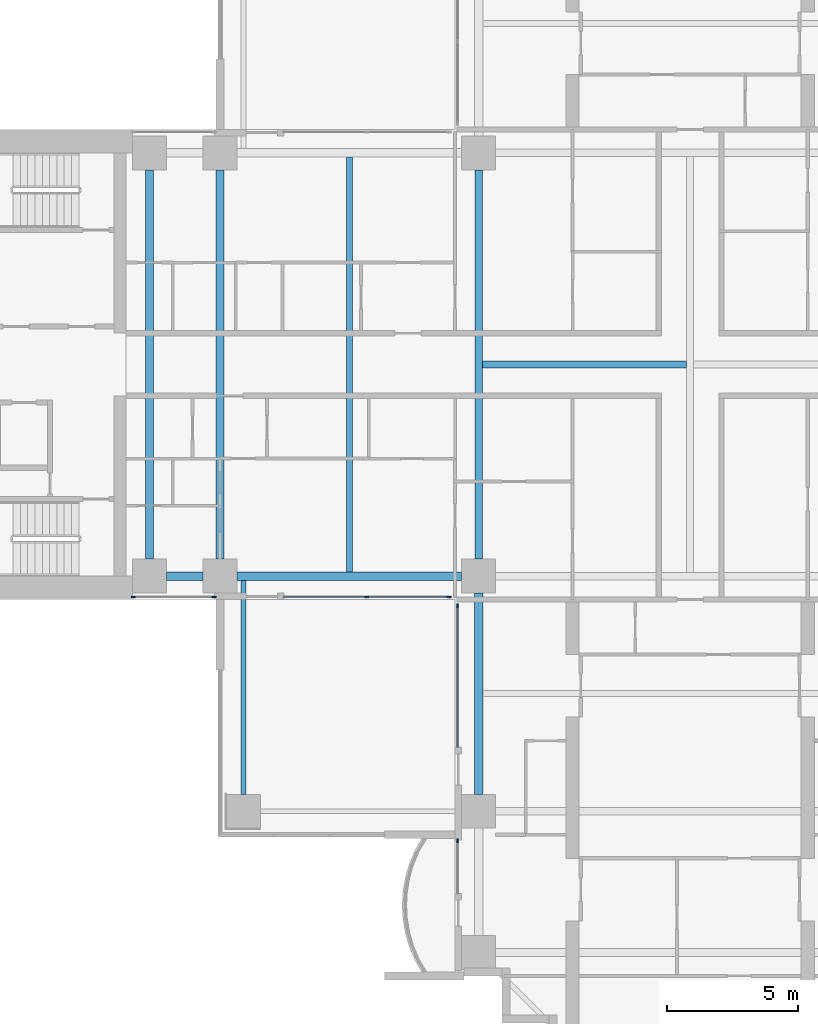
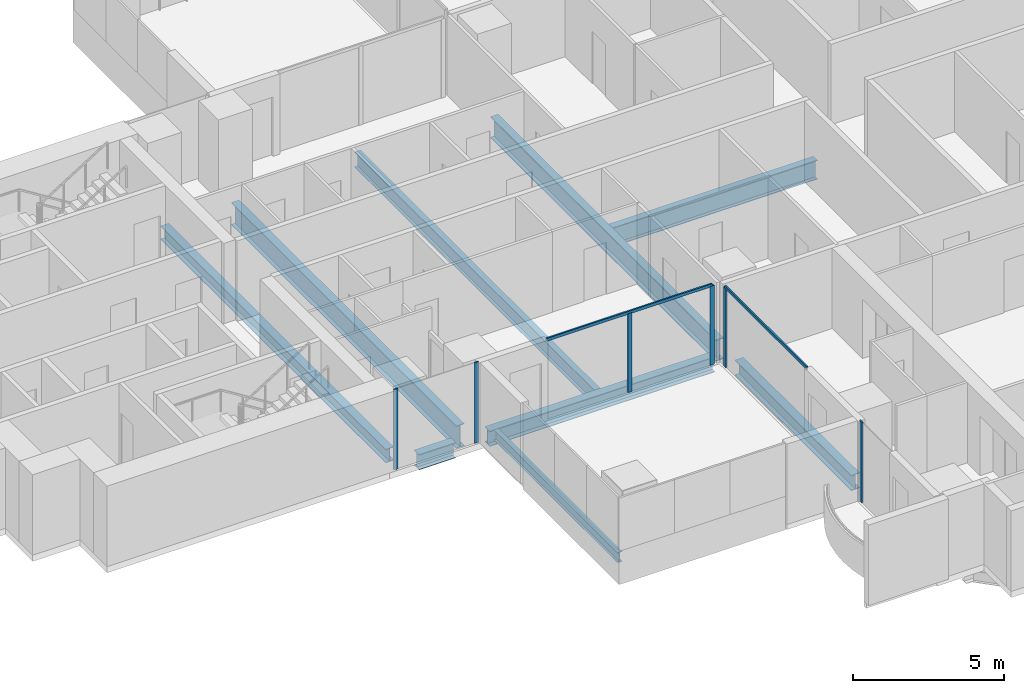
# One storey, part 2 of 21: 9 beams, 8 members, 4 elements without a shape of their own.
"""IFC4 building model written with IfcOpenShell, lengths in metres."""

from ifc_helpers import new_model, si_unit, direction, frame, origin, origin_2d, place, context, subcontext, project, spatial, rectangle, i_section, extrude, material, material_profile, profile_set, type_object, element, aggregate, save


model = new_model("IFC4")

# Units and contexts
model_context = context("Model", 3, precision=1e-05, world=origin(), true_north=direction((0.0, 1.0)))
body_context = subcontext(model_context, "Body", "Model", "MODEL_VIEW")
ifc_project = project(units=[si_unit("LENGTHUNIT", "METRE"), si_unit("AREAUNIT", "SQUARE_METRE"), si_unit("VOLUMEUNIT", "CUBIC_METRE"), si_unit("PLANEANGLEUNIT", "RADIAN"), si_unit("MASSUNIT", "GRAM", prefix="KILO")], contexts=[model_context])

# Site, building, storey
site_placement = place(None, origin())
site = spatial("IfcSite", under=ifc_project, at=site_placement, CompositionType="ELEMENT")
building_placement = place(site_placement, origin())
building = spatial("IfcBuilding", under=site, at=building_placement, Name="Perihelion Cross Residences", CompositionType="ELEMENT")
storey_placement = place(building_placement, frame((0.0, 0.0, 57.5)))
storey = spatial("IfcBuildingStorey", under=building, at=storey_placement, Name="L11", CompositionType="ELEMENT", Elevation=57.5)

# Curtain wall, members
ifc_material_1 = material(Name="Bronze anodised aluminium, tinted glazing", Category="aluminium")
curtain_wall_type = type_object("IfcCurtainWallType", Name="CW1", PredefinedType="NOTDEFINED", material=ifc_material_1)
curtain_wall_1_placement = place(storey_placement, origin())
curtain_wall_1 = element("IfcCurtainWall", 1, at=curtain_wall_1_placement, inside=storey, type_object=curtain_wall_type, Name="Curtain wall CW1 L11 west side south bay 1", PredefinedType="NOTDEFINED")
ifc_material_2 = material(Name="Bronze anodised aluminium", Category="aluminium")
ifc_material_profile_1 = material_profile(ifc_material_2, rectangle(XDim=0.06005859375, YDim=0.159912109375, at=origin_2d()), Name="CW1 mullion")
ifc_profile_set_1 = profile_set([ifc_material_profile_1], Name="Bronze anodised aluminium")
member_type_1 = type_object("IfcMemberType", Name="CW1 mullion", PredefinedType="MULLION", material=ifc_profile_set_1)
member_1_placement = place(storey_placement, frame((-21.320068359375, -8.89990234375, 0.0), z_axis=(0.0, 0.0, 1.0), x_axis=(0.0, 1.0, 0.0)))
member_1 = element("IfcMember", 2, at=member_1_placement, type_object=member_type_1, Name="CW1 mullion 1", PredefinedType="MULLION", context=body_context, shape_type="SweptSolid", body=[
    extrude(rectangle(XDim=0.06005859375, YDim=0.159912109375, at=origin_2d()), origin(), (0.0, 0.0, 1.0), 3.25),
])
member_2_placement = place(storey_placement, frame((-18.22998046875, -8.89990234375, 0.0), z_axis=(0.0, 0.0, 1.0), x_axis=(0.0, 1.0, 0.0)))
member_2 = element("IfcMember", 3, at=member_2_placement, type_object=member_type_1, Name="CW1 mullion 2", PredefinedType="MULLION", context=body_context, shape_type="SweptSolid", body=[
    extrude(rectangle(XDim=0.06005859375, YDim=0.159912109375, at=origin_2d()), origin(), (0.0, 0.0, 1.0), 3.25),
])
aggregate(curtain_wall_1, [member_1, member_2])

curtain_wall_2_placement = place(storey_placement, origin())
curtain_wall_2 = element("IfcCurtainWall", 4, at=curtain_wall_2_placement, inside=storey, type_object=curtain_wall_type, Name="Curtain wall CW1 L11 west side south bay 2", PredefinedType="NOTDEFINED")
member_3_placement = place(storey_placement, frame((-12.375, -8.89990234375, 0.0), z_axis=(0.0, 0.0, 1.0), x_axis=(0.0, 1.0, 0.0)))
member_3 = element("IfcMember", 5, at=member_3_placement, type_object=member_type_1, Name="CW1 mullion 2", PredefinedType="MULLION", context=body_context, shape_type="SweptSolid", body=[
    extrude(rectangle(XDim=0.06005859375, YDim=0.159912109375, at=origin_2d()), origin(), (0.0, 0.0, 1.0), 3.18994140625),
])
member_4_placement = place(storey_placement, frame((-9.22998046875, -8.89990234375, 0.0), z_axis=(0.0, 0.0, 1.0), x_axis=(0.0, 1.0, 0.0)))
member_4 = element("IfcMember", 6, at=member_4_placement, type_object=member_type_1, Name="CW1 mullion 3", PredefinedType="MULLION", context=body_context, shape_type="SweptSolid", body=[
    extrude(rectangle(XDim=0.06005859375, YDim=0.159912109375, at=origin_2d()), origin(), (0.0, 0.0, 1.0), 3.18994140625),
])

# Curtain wall, member
curtain_wall_3_placement = place(storey_placement, origin())
curtain_wall_3 = element("IfcCurtainWall", 7, at=curtain_wall_3_placement, inside=storey, type_object=curtain_wall_type, Name="Curtain wall CW1 L11 south side west bay 1", PredefinedType="NOTDEFINED")
member_5_placement = place(storey_placement, frame((-8.89990234375, -9.22998046875, 0.0), z_axis=(0.0, 0.0, 1.0), x_axis=(1.0, 0.0, 0.0)))
member_5 = element("IfcMember", 8, at=member_5_placement, type_object=member_type_1, Name="CW1 mullion 1", PredefinedType="MULLION", context=body_context, shape_type="SweptSolid", body=[
    extrude(rectangle(XDim=0.06005859375, YDim=0.159912109375, at=origin_2d()), origin(), (0.0, 0.0, 1.0), 3.18994140625),
])

curtain_wall_4_placement = place(storey_placement, origin())
curtain_wall_4 = element("IfcCurtainWall", 9, at=curtain_wall_4_placement, inside=storey, type_object=curtain_wall_type, Name="Curtain wall CW1 L11 south side west bay 2", PredefinedType="NOTDEFINED")
member_6_placement = place(storey_placement, frame((-8.89990234375, -18.22998046875, 0.0), z_axis=(0.0, 0.0, 1.0), x_axis=(1.0, 0.0, 0.0)))
member_6 = element("IfcMember", 10, at=member_6_placement, type_object=member_type_1, Name="CW1 mullion 1", PredefinedType="MULLION", context=body_context, shape_type="SweptSolid", body=[
    extrude(rectangle(XDim=0.06005859375, YDim=0.159912109375, at=origin_2d()), origin(), (0.0, 0.0, 1.0), 3.25),
])
aggregate(curtain_wall_4, [member_6])

# Member
ifc_material_3 = material(Name="Bronze anodised aluminium", Category="aluminium")
ifc_material_profile_2 = material_profile(ifc_material_3, rectangle(XDim=0.06005859375, YDim=0.1201171875, at=origin_2d()), Name="CW1 transom")
ifc_profile_set_2 = profile_set([ifc_material_profile_2], Name="Bronze anodised aluminium")
member_type_2 = type_object("IfcMemberType", Name="CW1 transom", PredefinedType="USERDEFINED", material=ifc_profile_set_2)
member_7_placement = place(storey_placement, frame((-15.550048828125, -8.89990234375, 3.219970703125), z_axis=(1.0, 0.0, 0.0), x_axis=(0.0, 1.0, 0.0)))
member_7 = element("IfcMember", 11, at=member_7_placement, type_object=member_type_2, Name="CW1 head transom", ObjectType="TRANSOM", PredefinedType="USERDEFINED", context=body_context, shape_type="SweptSolid", body=[
    extrude(rectangle(XDim=0.06005859375, YDim=0.1201171875, at=origin_2d()), origin(), (0.0, 0.0, 1.0), 6.320068359375),
])

aggregate(curtain_wall_2, [member_3, member_4, member_7])

member_8_placement = place(storey_placement, frame((-8.89990234375, -9.22998046875, 3.219970703125), z_axis=(0.0, -1.0, 0.0), x_axis=(1.0, 0.0, 0.0)))
member_8 = element("IfcMember", 12, at=member_8_placement, type_object=member_type_2, Name="CW1 head transom", ObjectType="TRANSOM", PredefinedType="USERDEFINED", context=body_context, shape_type="SweptSolid", body=[
    extrude(rectangle(XDim=0.06005859375, YDim=0.1201171875, at=origin_2d()), origin(), (0.0, 0.0, 1.0), 5.419921875),
])

aggregate(curtain_wall_3, [member_5, member_8])

# Beams
ifc_material_4 = material(Name="Steel S355", Category="steel")
ifc_material_profile_3 = material_profile(ifc_material_4, i_section(OverallWidth=0.177978515625, OverallDepth=0.406005859375, WebThickness=0.0078125, FlangeThickness=0.0126953125, at=origin_2d()), Name="W410x60")
ifc_profile_set_3 = profile_set([ifc_material_profile_3], Name="Steel S355")
beam_type_1 = type_object("IfcBeamType", Name="Core edge beam W410x60", PredefinedType="BEAM", material=ifc_profile_set_3)
beam_1_placement = place(storey_placement, frame((-17.10009765625, -8.262451171875, -0.452880859375), z_axis=(0.0, -1.0, 0.0), x_axis=(1.0, 0.0, 0.0)))
element("IfcBeam", 13, at=beam_1_placement, inside=storey, type_object=beam_type_1, Name="Core edge beam TB2 L11 corner no. 1", PredefinedType="BEAM", context=body_context, shape_type="SweptSolid", body=[
    extrude(i_section(OverallWidth=0.177978515625, OverallDepth=0.406005859375, WebThickness=0.0078125, FlangeThickness=0.0126953125, at=origin_2d()), origin(), (0.0, 0.0, 1.0), 8.1875),
])
ifc_material_5 = material(Name="Steel S355", Category="steel")
ifc_material_profile_4 = material_profile(ifc_material_5, i_section(OverallWidth=0.31201171875, OverallDepth=0.5439453125, WebThickness=0.0126953125, FlangeThickness=0.020263671875, at=origin_2d()), Name="W530x150")
ifc_profile_set_4 = profile_set([ifc_material_profile_4], Name="Steel S355")
beam_type_2 = type_object("IfcBeamType", Name="Core edge beam W530x150", PredefinedType="BEAM", material=ifc_profile_set_4)
beam_2_placement = place(storey_placement, frame((-20.699951171875, -7.449951171875, -0.52197265625), z_axis=(0.0, 1.0, 0.0), x_axis=(-1.0, 0.0, 0.0)))
element("IfcBeam", 14, at=beam_2_placement, inside=storey, type_object=beam_type_2, Name="Core edge beam TB4 L11 no. 1", PredefinedType="BEAM", context=body_context, shape_type="SweptSolid", body=[
    extrude(i_section(OverallWidth=0.31201171875, OverallDepth=0.5439453125, WebThickness=0.0126953125, FlangeThickness=0.020263671875, at=origin_2d()), origin(), (0.0, 0.0, 1.0), 14.89990234375),
])
ifc_material_6 = material(Name="Steel S355", Category="steel")
ifc_material_profile_5 = material_profile(ifc_material_6, i_section(OverallWidth=0.324951171875, OverallDepth=0.616943359375, WebThickness=0.013916015625, FlangeThickness=0.021484375, at=origin_2d()), Name="W610x174")
ifc_profile_set_5 = profile_set([ifc_material_profile_5], Name="Steel S355")
beam_type_3 = type_object("IfcBeamType", Name="Edge beam W610x174", PredefinedType="SPANDREL", material=ifc_profile_set_5)
beam_3_placement = place(storey_placement, frame((-20.050048828125, -8.10009765625, -0.55859375), z_axis=(1.0, 0.0, 0.0), x_axis=(0.0, 1.0, 0.0)))
element("IfcBeam", 15, at=beam_3_placement, inside=storey, type_object=beam_type_3, Name="Edge beam SB2 L11 no. 3", PredefinedType="SPANDREL", context=body_context, shape_type="SweptSolid", body=[
    extrude(i_section(OverallWidth=0.324951171875, OverallDepth=0.616943359375, WebThickness=0.013916015625, FlangeThickness=0.021484375, at=origin_2d()), origin(), (0.0, 0.0, 1.0), 1.400146484375),
])
beam_4_placement = place(storey_placement, frame((-17.35009765625, -8.10009765625, -0.55859375), z_axis=(1.0, 0.0, 0.0), x_axis=(0.0, 1.0, 0.0)))
element("IfcBeam", 16, at=beam_4_placement, inside=storey, type_object=beam_type_3, Name="Edge beam SB2 L11 no. 1", PredefinedType="SPANDREL", context=body_context, shape_type="SweptSolid", body=[
    extrude(i_section(OverallWidth=0.324951171875, OverallDepth=0.616943359375, WebThickness=0.013916015625, FlangeThickness=0.021484375, at=origin_2d()), origin(), (0.0, 0.0, 1.0), 8.60009765625),
])
beam_5_placement = place(storey_placement, frame((-8.10009765625, -8.75, -0.55859375), z_axis=(0.0, -1.0, 0.0), x_axis=(1.0, 0.0, 0.0)))
element("IfcBeam", 17, at=beam_5_placement, inside=storey, type_object=beam_type_3, Name="Edge beam SB2 L11 no. 6", PredefinedType="SPANDREL", context=body_context, shape_type="SweptSolid", body=[
    extrude(i_section(OverallWidth=0.324951171875, OverallDepth=0.616943359375, WebThickness=0.013916015625, FlangeThickness=0.021484375, at=origin_2d()), origin(), (0.0, 0.0, 1.0), 7.699951171875),
])
ifc_material_7 = material(Name="Steel S355", Category="steel")
ifc_material_profile_6 = material_profile(ifc_material_7, i_section(OverallWidth=0.304931640625, OverallDepth=0.904052734375, WebThickness=0.01513671875, FlangeThickness=0.02001953125, at=origin_2d()), Name="W920x201")
ifc_profile_set_6 = profile_set([ifc_material_profile_6], Name="Steel S355")
beam_type_4 = type_object("IfcBeamType", Name="Floor girder W920x201", PredefinedType="BEAM", material=ifc_profile_set_6)
beam_6_placement = place(storey_placement, frame((-18.0, -7.449951171875, -0.701904296875), z_axis=(0.0, 1.0, 0.0), x_axis=(-1.0, 0.0, 0.0)))
element("IfcBeam", 18, at=beam_6_placement, inside=storey, type_object=beam_type_4, Name="Girder G2 L11 no. 1", PredefinedType="BEAM", context=body_context, shape_type="SweptSolid", body=[
    extrude(i_section(OverallWidth=0.304931640625, OverallDepth=0.904052734375, WebThickness=0.01513671875, FlangeThickness=0.02001953125, at=origin_2d()), origin(), (0.0, 0.0, 1.0), 14.89990234375),
])
ifc_material_8 = material(Name="Steel S355", Category="steel")
ifc_material_profile_7 = material_profile(ifc_material_8, i_section(OverallWidth=0.22900390625, OverallDepth=0.612060546875, WebThickness=0.011962890625, FlangeThickness=0.01953125, at=origin_2d()), Name="W610x125")
ifc_profile_set_7 = profile_set([ifc_material_profile_7], Name="Steel S355")
beam_type_5 = type_object("IfcBeamType", Name="Floor joist W610x125", PredefinedType="JOIST", material=ifc_profile_set_7)
beam_7_placement = place(storey_placement, frame((-13.050048828125, -7.9375, -0.555908203125), z_axis=(0.0, 1.0, 0.0), x_axis=(-1.0, 0.0, 0.0)))
element("IfcBeam", 19, at=beam_7_placement, inside=storey, type_object=beam_type_5, Name="Joist J3 L11 no. 1", PredefinedType="JOIST", context=body_context, shape_type="SweptSolid", body=[
    extrude(i_section(OverallWidth=0.22900390625, OverallDepth=0.612060546875, WebThickness=0.011962890625, FlangeThickness=0.01953125, at=origin_2d()), origin(), (0.0, 0.0, 1.0), 15.875),
])
ifc_material_9 = material(Name="Steel S355", Category="steel")
ifc_material_profile_8 = material_profile(ifc_material_9, i_section(OverallWidth=0.26708984375, OverallDepth=0.77001953125, WebThickness=0.015625, FlangeThickness=0.025390625, at=origin_2d()), Name="W760x196")
ifc_profile_set_8 = profile_set([ifc_material_profile_8], Name="Steel S355")
beam_type_6 = type_object("IfcBeamType", Name="Hub cross beam W760x196", PredefinedType="BEAM", material=ifc_profile_set_8)
beam_8_placement = place(storey_placement, frame((-7.9541015625, 0.0, -0.635009765625), z_axis=(1.0, 0.0, 0.0), x_axis=(0.0, 1.0, 0.0)))
element("IfcBeam", 20, at=beam_8_placement, inside=storey, type_object=beam_type_6, Name="Hub cross beam XB2 L11 1 no. 1", PredefinedType="BEAM", context=body_context, shape_type="SweptSolid", body=[
    extrude(i_section(OverallWidth=0.26708984375, OverallDepth=0.77001953125, WebThickness=0.015625, FlangeThickness=0.025390625, at=origin_2d()), origin(), (0.0, 0.0, 1.0), 7.820556640625),
])
ifc_material_10 = material(Name="Steel S355", Category="steel")
ifc_material_profile_9 = material_profile(ifc_material_10, i_section(OverallWidth=0.2919921875, OverallDepth=0.85888671875, WebThickness=0.01708984375, FlangeThickness=0.031005859375, at=origin_2d()), Name="W840x251")
ifc_profile_set_9 = profile_set([ifc_material_profile_9], Name="Steel S355")
beam_type_7 = type_object("IfcBeamType", Name="Hub ring girder W840x251", PredefinedType="BEAM", material=ifc_profile_set_9)
beam_9_placement = place(storey_placement, frame((-8.10009765625, 7.449951171875, -0.679443359375), z_axis=(0.0, -1.0, 0.0), x_axis=(1.0, 0.0, 0.0)))
element("IfcBeam", 21, at=beam_9_placement, inside=storey, type_object=beam_type_7, Name="Hub ring girder RG2 L11 no. 2", PredefinedType="BEAM", context=body_context, shape_type="SweptSolid", body=[
    extrude(i_section(OverallWidth=0.2919921875, OverallDepth=0.85888671875, WebThickness=0.01708984375, FlangeThickness=0.031005859375, at=origin_2d()), origin(), (0.0, 0.0, 1.0), 14.89990234375),
])

save(model, "model.ifc")
